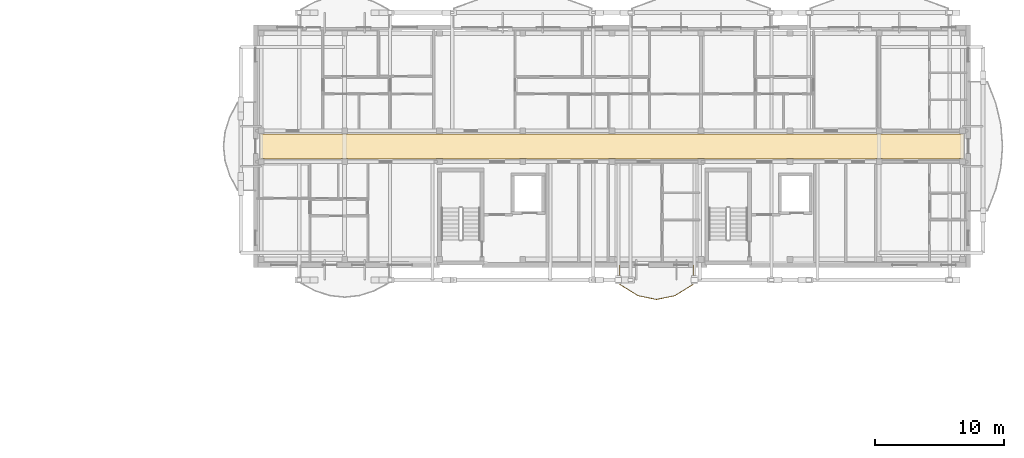
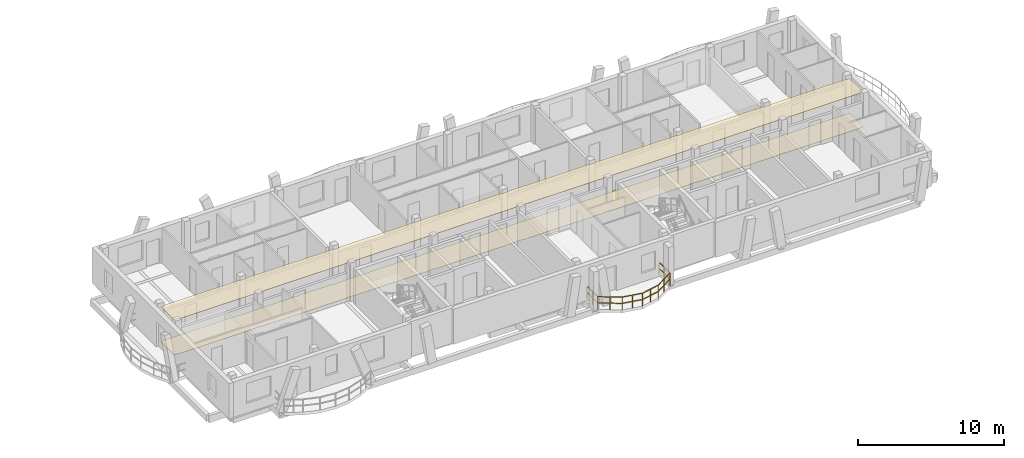
# One storey, part 50 of 52: 2 coverings, 1 railing.
"""IFC4 building model written with IfcOpenShell, lengths in metres."""

from ifc_helpers import new_model, si_unit, direction, frame, origin, origin_2d, place, context, subcontext, project, spatial, polyline, rectangle, outline, extrude, material, layer, layer_set, type_object, element, save


model = new_model("IFC4")

# Units and contexts
model_context = context("Model", 3, precision=1e-05, world=origin(), true_north=direction((0.0, 1.0)))
body_context = subcontext(model_context, "Body", "Model", "MODEL_VIEW")
ifc_project = project(units=[si_unit("LENGTHUNIT", "METRE"), si_unit("AREAUNIT", "SQUARE_METRE"), si_unit("VOLUMEUNIT", "CUBIC_METRE"), si_unit("PLANEANGLEUNIT", "RADIAN"), si_unit("MASSUNIT", "GRAM", prefix="KILO")], contexts=[model_context])

# Site, building, storey
site_placement = place(None, origin())
site = spatial("IfcSite", under=ifc_project, at=site_placement, CompositionType="ELEMENT")
building_placement = place(site_placement, origin())
building = spatial("IfcBuilding", under=site, at=building_placement, Name="Zavelmont Quarter", CompositionType="ELEMENT")
storey_placement = place(building_placement, frame((0.0, 0.0, 14.39990234375)))
storey = spatial("IfcBuildingStorey", under=building, at=storey_placement, Name="L04", CompositionType="ELEMENT", Elevation=14.39990234375)

# Coverings
ifc_material_1 = material(Name="Perforated acoustic gypsum board")
ifc_layer_1 = layer(ifc_material_1, 0.02490234375)
ifc_layer_set_1 = layer_set([ifc_layer_1], Name="Perforated acoustic gypsum board")
covering_type_1 = type_object("IfcCoveringType", Name="CV-CL01", PredefinedType="CEILING", material=ifc_layer_set_1)
covering_1_placement = place(storey_placement, frame((0.0, 0.0, 2.9150390625)))
element("IfcCovering", 1, at=covering_1_placement, inside=storey, type_object=covering_type_1, Name="L04 Residential Corridor acoustic ceiling", PredefinedType="CEILING", context=body_context, shape_type="SweptSolid", body=[
    extrude(outline(polyline([(113.179931640625, 107.735107421875), (113.5048828125, 107.735107421875), (113.5048828125, 107.77001953125), (119.43505859375, 107.77001953125), (119.43505859375, 107.735107421875), (119.965087890625, 107.735107421875), (119.965087890625, 107.77001953125), (126.77490234375, 107.77001953125), (126.77490234375, 107.735107421875), (127.304931640625, 107.735107421875), (127.304931640625, 107.77001953125), (133.235107421875, 107.77001953125), (133.235107421875, 107.735107421875), (133.764892578125, 107.735107421875), (133.764892578125, 107.77001953125), (140.135009765625, 107.77001953125), (140.135009765625, 107.735107421875), (140.6650390625, 107.735107421875), (140.6650390625, 107.77001953125), (147.034912109375, 107.77001953125), (147.034912109375, 107.735107421875), (147.56494140625, 107.735107421875), (147.56494140625, 107.77001953125), (153.93505859375, 107.77001953125), (153.93505859375, 107.735107421875), (154.465087890625, 107.735107421875), (154.465087890625, 107.77001953125), (160.8349609375, 107.77001953125), (160.8349609375, 107.735107421875), (161.364990234375, 107.735107421875), (161.364990234375, 107.77001953125), (167.294921875, 107.77001953125), (167.294921875, 107.735107421875), (167.6201171875, 107.735107421875), (167.6201171875, 105.864990234375), (167.294921875, 105.864990234375), (167.294921875, 105.830078125), (161.364990234375, 105.830078125), (161.364990234375, 105.864990234375), (160.8349609375, 105.864990234375), (160.8349609375, 105.830078125), (154.465087890625, 105.830078125), (154.465087890625, 105.864990234375), (153.93505859375, 105.864990234375), (153.93505859375, 105.830078125), (147.56494140625, 105.830078125), (147.56494140625, 105.864990234375), (147.034912109375, 105.864990234375), (147.034912109375, 105.830078125), (140.6650390625, 105.830078125), (140.6650390625, 105.864990234375), (140.135009765625, 105.864990234375), (140.135009765625, 105.830078125), (133.764892578125, 105.830078125), (133.764892578125, 105.864990234375), (133.235107421875, 105.864990234375), (133.235107421875, 105.830078125), (127.304931640625, 105.830078125), (127.304931640625, 105.864990234375), (126.77490234375, 105.864990234375), (126.77490234375, 105.830078125), (119.965087890625, 105.830078125), (119.965087890625, 105.864990234375), (119.43505859375, 105.864990234375), (119.43505859375, 105.830078125), (113.5048828125, 105.830078125), (113.5048828125, 105.864990234375), (113.179931640625, 105.864990234375), (113.179931640625, 107.735107421875)])), origin(), (0.0, 0.0, 1.0), 0.025146484375),
])
ifc_material_2 = material(Name="Engineered European oak parquet")
ifc_layer_2 = layer(ifc_material_2, 0.02197265625)
ifc_layer_set_2 = layer_set([ifc_layer_2], Name="Engineered European oak parquet")
covering_type_2 = type_object("IfcCoveringType", Name="CV-FL01", PredefinedType="FLOORING", material=ifc_layer_set_2)
covering_2_placement = place(storey_placement, origin())
element("IfcCovering", 2, at=covering_2_placement, inside=storey, type_object=covering_type_2, Name="L04 Residential Corridor floor finish", PredefinedType="FLOORING", context=body_context, shape_type="SweptSolid", body=[
    extrude(outline(polyline([(113.179931640625, 107.735107421875), (113.5048828125, 107.735107421875), (113.5048828125, 107.77001953125), (119.43505859375, 107.77001953125), (119.43505859375, 107.735107421875), (119.965087890625, 107.735107421875), (119.965087890625, 107.77001953125), (126.77490234375, 107.77001953125), (126.77490234375, 107.735107421875), (127.304931640625, 107.735107421875), (127.304931640625, 107.77001953125), (133.235107421875, 107.77001953125), (133.235107421875, 107.735107421875), (133.764892578125, 107.735107421875), (133.764892578125, 107.77001953125), (140.135009765625, 107.77001953125), (140.135009765625, 107.735107421875), (140.6650390625, 107.735107421875), (140.6650390625, 107.77001953125), (147.034912109375, 107.77001953125), (147.034912109375, 107.735107421875), (147.56494140625, 107.735107421875), (147.56494140625, 107.77001953125), (153.93505859375, 107.77001953125), (153.93505859375, 107.735107421875), (154.465087890625, 107.735107421875), (154.465087890625, 107.77001953125), (160.8349609375, 107.77001953125), (160.8349609375, 107.735107421875), (161.364990234375, 107.735107421875), (161.364990234375, 107.77001953125), (167.294921875, 107.77001953125), (167.294921875, 107.735107421875), (167.6201171875, 107.735107421875), (167.6201171875, 105.864990234375), (167.294921875, 105.864990234375), (167.294921875, 105.830078125), (161.364990234375, 105.830078125), (161.364990234375, 105.864990234375), (160.8349609375, 105.864990234375), (160.8349609375, 105.830078125), (154.465087890625, 105.830078125), (154.465087890625, 105.864990234375), (153.93505859375, 105.864990234375), (153.93505859375, 105.830078125), (147.56494140625, 105.830078125), (147.56494140625, 105.864990234375), (147.034912109375, 105.864990234375), (147.034912109375, 105.830078125), (140.6650390625, 105.830078125), (140.6650390625, 105.864990234375), (140.135009765625, 105.864990234375), (140.135009765625, 105.830078125), (133.764892578125, 105.830078125), (133.764892578125, 105.864990234375), (133.235107421875, 105.864990234375), (133.235107421875, 105.830078125), (127.304931640625, 105.830078125), (127.304931640625, 105.864990234375), (126.77490234375, 105.864990234375), (126.77490234375, 105.830078125), (119.965087890625, 105.830078125), (119.965087890625, 105.864990234375), (119.43505859375, 105.864990234375), (119.43505859375, 105.830078125), (113.5048828125, 105.830078125), (113.5048828125, 105.864990234375), (113.179931640625, 105.864990234375), (113.179931640625, 107.735107421875)])), origin(), (0.0, 0.0, 1.0), 0.022216796875),
])

# Railing
ifc_material_3 = material(Name="Powder-coated steel and tempered double safety glass", Category="steel")
railing_type = type_object("IfcRailingType", Name="RL-BAL1", PredefinedType="BALUSTRADE", material=ifc_material_3)
railing_placement = place(storey_placement, frame((141.0, 97.580078125, 0.0)))
element("IfcRailing", 3, at=railing_placement, inside=storey, type_object=railing_type, Name="L04 Block C curved balcony guard RL-BAL1", PredefinedType="BALUSTRADE", context=body_context, shape_type="SweptSolid", body=[
    extrude(rectangle(XDim=0.048095703125, YDim=0.048095703125, at=origin_2d()), frame((0.0, 0.0, 1.076171875), z_axis=(0.0, -1.0, 0.0), x_axis=(1.0, 0.0, 0.0)), (0.0, 0.0, 1.0), 1.474609375),
    extrude(rectangle(XDim=0.048095703125, YDim=0.048095703125, at=origin_2d()), frame((0.0, 0.0, 0.550048828125), z_axis=(0.0, -1.0, 0.0), x_axis=(1.0, 0.0, 0.0)), (0.0, 0.0, 1.0), 1.474609375),
    extrude(rectangle(XDim=0.048095703125, YDim=0.048095703125, at=origin_2d()), frame((0.0, -1.474609375, 1.076171875), z_axis=(0.850615900035, -0.52578759077, 0.0), x_axis=(0.52578759077, 0.850615900035, 0.0)), (0.0, 0.0, 1.0), 1.67529296875),
    extrude(rectangle(XDim=0.048095703125, YDim=0.048095703125, at=origin_2d()), frame((0.0, -1.474609375, 0.550048828125), z_axis=(0.850615900035, -0.52578759077, 0.0), x_axis=(0.52578759077, 0.850615900035, 0.0)), (0.0, 0.0, 1.0), 1.67529296875),
    extrude(rectangle(XDim=0.048095703125, YDim=0.048095703125, at=origin_2d()), frame((1.425048828125, -2.35546875, 1.076171875), z_axis=(0.979415108346, -0.201856497403, 0.0), x_axis=(0.201856497403, 0.979415108346, 0.0)), (0.0, 0.0, 1.0), 1.455078125),
    extrude(rectangle(XDim=0.048095703125, YDim=0.048095703125, at=origin_2d()), frame((1.425048828125, -2.35546875, 0.550048828125), z_axis=(0.979415108346, -0.201856497403, 0.0), x_axis=(0.201856497403, 0.979415108346, 0.0)), (0.0, 0.0, 1.0), 1.455078125),
    extrude(rectangle(XDim=0.048095703125, YDim=0.048095703125, at=origin_2d()), frame((2.85009765625, -2.649169921875, 1.076171875), z_axis=(0.979408269708, 0.201889675884, 0.0), x_axis=(-0.201889675884, 0.979408269708, 0.0)), (0.0, 0.0, 1.0), 1.454833984375),
    extrude(rectangle(XDim=0.048095703125, YDim=0.048095703125, at=origin_2d()), frame((2.85009765625, -2.649169921875, 0.550048828125), z_axis=(0.979408269708, 0.201889675884, 0.0), x_axis=(-0.201889675884, 0.979408269708, 0.0)), (0.0, 0.0, 1.0), 1.454833984375),
    extrude(rectangle(XDim=0.048095703125, YDim=0.048095703125, at=origin_2d()), frame((4.27490234375, -2.35546875, 1.076171875), z_axis=(0.850615900035, 0.52578759077, 0.0), x_axis=(-0.52578759077, 0.850615900035, 0.0)), (0.0, 0.0, 1.0), 1.67529296875),
    extrude(rectangle(XDim=0.048095703125, YDim=0.048095703125, at=origin_2d()), frame((4.27490234375, -2.35546875, 0.550048828125), z_axis=(0.850615900035, 0.52578759077, 0.0), x_axis=(-0.52578759077, 0.850615900035, 0.0)), (0.0, 0.0, 1.0), 1.67529296875),
    extrude(rectangle(XDim=0.048095703125, YDim=0.048095703125, at=origin_2d()), frame((5.699951171875, -1.474609375, 1.076171875), z_axis=(0.0, 1.0, 0.0), x_axis=(-1.0, 0.0, 0.0)), (0.0, 0.0, 1.0), 1.474609375),
    extrude(rectangle(XDim=0.048095703125, YDim=0.048095703125, at=origin_2d()), frame((5.699951171875, -1.474609375, 0.550048828125), z_axis=(0.0, 1.0, 0.0), x_axis=(-1.0, 0.0, 0.0)), (0.0, 0.0, 1.0), 1.474609375),
    extrude(rectangle(XDim=0.0419921875, YDim=0.0419921875, at=origin_2d()), origin(), (0.0, 0.0, 1.0), 1.052001953125),
    extrude(rectangle(XDim=0.0419921875, YDim=0.0419921875, at=origin_2d()), frame((0.0, -0.7373046875, 0.0)), (0.0, 0.0, 1.0), 1.052001953125),
    extrude(rectangle(XDim=0.0419921875, YDim=0.0419921875, at=origin_2d()), frame((0.0, -1.474609375, 0.0)), (0.0, 0.0, 1.0), 1.052001953125),
    extrude(rectangle(XDim=0.0419921875, YDim=0.0419921875, at=origin_2d()), frame((0.71240234375, -1.9150390625, 0.0)), (0.0, 0.0, 1.0), 1.052001953125),
    extrude(rectangle(XDim=0.0419921875, YDim=0.0419921875, at=origin_2d()), frame((1.425048828125, -2.35546875, 0.0)), (0.0, 0.0, 1.0), 1.052001953125),
    extrude(rectangle(XDim=0.0419921875, YDim=0.0419921875, at=origin_2d()), frame((2.1376953125, -2.50244140625, 0.0)), (0.0, 0.0, 1.0), 1.052001953125),
    extrude(rectangle(XDim=0.0419921875, YDim=0.0419921875, at=origin_2d()), frame((2.85009765625, -2.649169921875, 0.0)), (0.0, 0.0, 1.0), 1.052001953125),
    extrude(rectangle(XDim=0.0419921875, YDim=0.0419921875, at=origin_2d()), frame((3.5625, -2.50244140625, 0.0)), (0.0, 0.0, 1.0), 1.052001953125),
    extrude(rectangle(XDim=0.0419921875, YDim=0.0419921875, at=origin_2d()), frame((4.27490234375, -2.35546875, 0.0)), (0.0, 0.0, 1.0), 1.052001953125),
    extrude(rectangle(XDim=0.0419921875, YDim=0.0419921875, at=origin_2d()), frame((4.9873046875, -1.9150390625, 0.0)), (0.0, 0.0, 1.0), 1.052001953125),
    extrude(rectangle(XDim=0.0419921875, YDim=0.0419921875, at=origin_2d()), frame((5.699951171875, -1.474609375, 0.0)), (0.0, 0.0, 1.0), 1.052001953125),
    extrude(rectangle(XDim=0.0419921875, YDim=0.0419921875, at=origin_2d()), frame((5.699951171875, -0.7373046875, 0.0)), (0.0, 0.0, 1.0), 1.052001953125),
    extrude(rectangle(XDim=0.0419921875, YDim=0.0419921875, at=origin_2d()), frame((5.699951171875, 0.0, 0.0)), (0.0, 0.0, 1.0), 1.052001953125),
])

save(model, "model.ifc")
